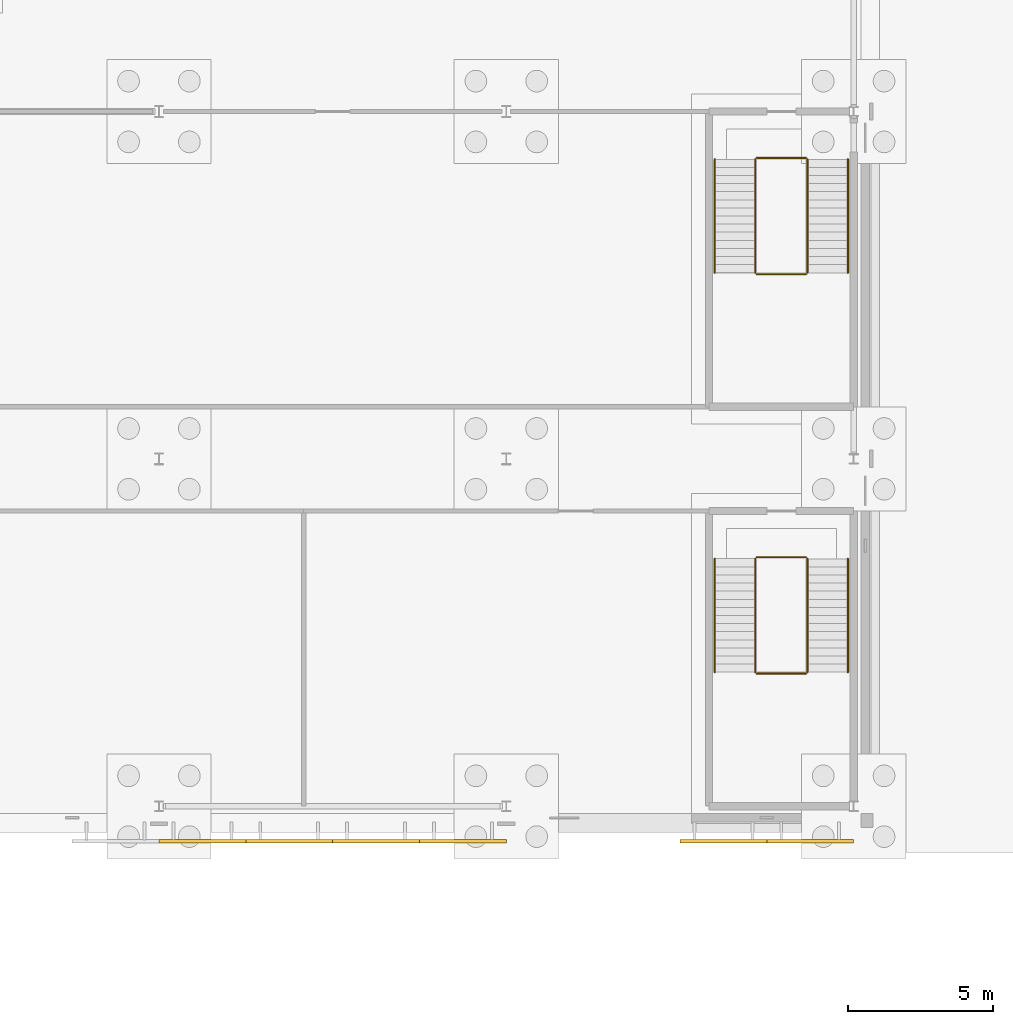
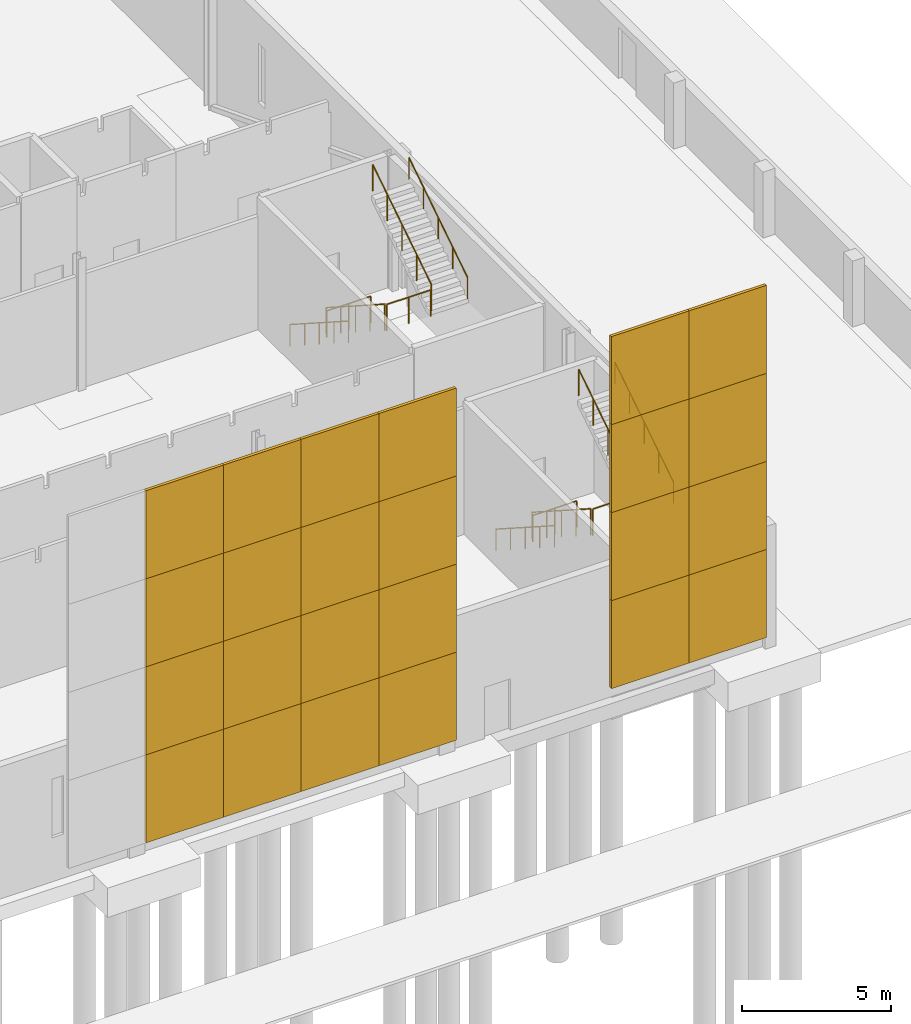
# One storey, part 128 of 132: 24 shading devices, 12 railings.
"""IFC4 building model written with IfcOpenShell, lengths in metres."""

from ifc_helpers import new_model, si_unit, direction, frame, origin, origin_2d, place, context, subcontext, project, spatial, rectangle, circle, extrude, material, layer, layer_set, type_object, element, save


model = new_model("IFC4")

# Units and contexts
model_context = context("Model", 3, precision=1e-05, world=origin(), true_north=direction((0.0, 1.0)))
body_context = subcontext(model_context, "Body", "Model", "MODEL_VIEW")
ifc_project = project(units=[si_unit("LENGTHUNIT", "METRE"), si_unit("AREAUNIT", "SQUARE_METRE"), si_unit("VOLUMEUNIT", "CUBIC_METRE"), si_unit("PLANEANGLEUNIT", "RADIAN"), si_unit("MASSUNIT", "GRAM", prefix="KILO")], contexts=[model_context])

# Site, building, storey
site_placement = place(None, origin())
site = spatial("IfcSite", under=ifc_project, at=site_placement, CompositionType="ELEMENT")
building_placement = place(site_placement, origin())
building = spatial("IfcBuilding", under=site, at=building_placement, Name="Ravi Spectrum Wholesale Market", CompositionType="ELEMENT")
storey_placement = place(building_placement, origin())
storey = spatial("IfcBuildingStorey", under=building, at=storey_placement, Name="L00", CompositionType="ELEMENT", Elevation=0.0)

# Railings
ifc_material_1 = material(Name="Steel S355", Category="steel")
railing_type_1 = type_object("IfcRailingType", Name="Guard 1100", PredefinedType="GUARDRAIL", material=ifc_material_1)
railing_1_placement = place(storey_placement, frame((278.60009765625, 40.35009765625, 0.179931640625)))
element("IfcRailing", 1, at=railing_1_placement, inside=storey, type_object=railing_type_1, Name="L00 S-CS-2 stair guard 1", PredefinedType="GUARDRAIL", context=body_context, shape_type="SweptSolid", body=[
    extrude(circle(Radius=0.02392578125, at=origin_2d()), frame((0.0, 0.0, 1.076171875), z_axis=(0.0, -0.841186985886, 0.540744352514), x_axis=(1.0, 0.0, 0.0)), (0.0, 0.0, 1.0), 4.660400390625),
    extrude(circle(Radius=0.02099609375, at=origin_2d()), origin(), (0.0, 0.0, 1.0), 1.052001953125),
    extrude(circle(Radius=0.02099609375, at=origin_2d()), frame((0.0, -0.97998046875, 0.6298828125)), (0.0, 0.0, 1.0), 1.052001953125),
    extrude(circle(Radius=0.02099609375, at=origin_2d()), frame((0.0, -1.9599609375, 1.260009765625)), (0.0, 0.0, 1.0), 1.052001953125),
    extrude(circle(Radius=0.02099609375, at=origin_2d()), frame((0.0, -2.940185546875, 1.89013671875)), (0.0, 0.0, 1.0), 1.052001953125),
    extrude(circle(Radius=0.02099609375, at=origin_2d()), frame((0.0, -3.920166015625, 2.52001953125)), (0.0, 0.0, 1.0), 1.052001953125),
])
railing_2_placement = place(storey_placement, frame((278.64990234375, 36.3798828125, 2.699951171875)))
element("IfcRailing", 2, at=railing_2_placement, inside=storey, type_object=railing_type_1, Name="L00 S-CS-2 stair guard 2", PredefinedType="GUARDRAIL", context=body_context, shape_type="SweptSolid", body=[
    extrude(circle(Radius=0.02392578125, at=origin_2d()), frame((0.0, 0.0, 1.076171875), z_axis=(1.0, 0.0, 0.0), x_axis=(0.0, 1.0, 0.0)), (0.0, 0.0, 1.0), 1.7001953125),
    extrude(circle(Radius=0.02099609375, at=origin_2d()), origin(), (0.0, 0.0, 1.0), 1.052001953125),
    extrude(circle(Radius=0.02099609375, at=origin_2d()), frame((0.85009765625, 0.0, 0.0)), (0.0, 0.0, 1.0), 1.052001953125),
    extrude(circle(Radius=0.02099609375, at=origin_2d()), frame((1.7001953125, 0.0, 0.0)), (0.0, 0.0, 1.0), 1.052001953125),
])
railing_3_placement = place(storey_placement, frame((280.39990234375, 36.429931640625, 2.8798828125)))
element("IfcRailing", 3, at=railing_3_placement, inside=storey, type_object=railing_type_1, Name="L00 S-CS-2 stair guard 3", PredefinedType="GUARDRAIL", context=body_context, shape_type="SweptSolid", body=[
    extrude(circle(Radius=0.02392578125, at=origin_2d()), frame((0.0, 0.0, 1.076171875), z_axis=(0.0, 0.841186985886, 0.540744352514), x_axis=(-1.0, 0.0, 0.0)), (0.0, 0.0, 1.0), 4.660400390625),
    extrude(circle(Radius=0.02099609375, at=origin_2d()), origin(), (0.0, 0.0, 1.0), 1.052001953125),
    extrude(circle(Radius=0.02099609375, at=origin_2d()), frame((0.0, 0.97998046875, 0.6298828125)), (0.0, 0.0, 1.0), 1.052001953125),
    extrude(circle(Radius=0.02099609375, at=origin_2d()), frame((0.0, 1.9599609375, 1.260009765625)), (0.0, 0.0, 1.0), 1.052001953125),
    extrude(circle(Radius=0.02099609375, at=origin_2d()), frame((0.0, 2.940185546875, 1.89013671875)), (0.0, 0.0, 1.0), 1.052001953125),
    extrude(circle(Radius=0.02099609375, at=origin_2d()), frame((0.0, 3.920166015625, 2.52001953125)), (0.0, 0.0, 1.0), 1.052001953125),
])
railing_4_placement = place(storey_placement, frame((278.64990234375, 40.39990234375, 0.0)))
element("IfcRailing", 4, at=railing_4_placement, inside=storey, type_object=railing_type_1, Name="L00 S-CS-2 stair guard 4", PredefinedType="GUARDRAIL", context=body_context, shape_type="SweptSolid", body=[
    extrude(circle(Radius=0.02392578125, at=origin_2d()), frame((0.0, 0.0, 1.076171875), z_axis=(1.0, 0.0, 0.0), x_axis=(0.0, 1.0, 0.0)), (0.0, 0.0, 1.0), 1.7001953125),
    extrude(circle(Radius=0.02099609375, at=origin_2d()), origin(), (0.0, 0.0, 1.0), 1.052001953125),
    extrude(circle(Radius=0.02099609375, at=origin_2d()), frame((0.85009765625, 0.0, 0.0)), (0.0, 0.0, 1.0), 1.052001953125),
    extrude(circle(Radius=0.02099609375, at=origin_2d()), frame((1.7001953125, 0.0, 0.0)), (0.0, 0.0, 1.0), 1.052001953125),
])
railing_5_placement = place(storey_placement, frame((278.60009765625, 26.550048828125, 0.179931640625)))
element("IfcRailing", 5, at=railing_5_placement, inside=storey, type_object=railing_type_1, Name="L00 S-CS-7 stair guard 1", PredefinedType="GUARDRAIL", context=body_context, shape_type="SweptSolid", body=[
    extrude(circle(Radius=0.02392578125, at=origin_2d()), frame((0.0, 0.0, 1.076171875), z_axis=(0.0, -0.841186985886, 0.540744352514), x_axis=(1.0, 0.0, 0.0)), (0.0, 0.0, 1.0), 4.660400390625),
    extrude(circle(Radius=0.02099609375, at=origin_2d()), origin(), (0.0, 0.0, 1.0), 1.052001953125),
    extrude(circle(Radius=0.02099609375, at=origin_2d()), frame((0.0, -0.97998046875, 0.6298828125)), (0.0, 0.0, 1.0), 1.052001953125),
    extrude(circle(Radius=0.02099609375, at=origin_2d()), frame((0.0, -1.9599609375, 1.260009765625)), (0.0, 0.0, 1.0), 1.052001953125),
    extrude(circle(Radius=0.02099609375, at=origin_2d()), frame((0.0, -2.940185546875, 1.89013671875)), (0.0, 0.0, 1.0), 1.052001953125),
    extrude(circle(Radius=0.02099609375, at=origin_2d()), frame((0.0, -3.920166015625, 2.52001953125)), (0.0, 0.0, 1.0), 1.052001953125),
])
railing_6_placement = place(storey_placement, frame((278.64990234375, 22.580078125, 2.699951171875)))
element("IfcRailing", 6, at=railing_6_placement, inside=storey, type_object=railing_type_1, Name="L00 S-CS-7 stair guard 2", PredefinedType="GUARDRAIL", context=body_context, shape_type="SweptSolid", body=[
    extrude(circle(Radius=0.02392578125, at=origin_2d()), frame((0.0, 0.0, 1.076171875), z_axis=(1.0, 0.0, 0.0), x_axis=(0.0, 1.0, 0.0)), (0.0, 0.0, 1.0), 1.7001953125),
    extrude(circle(Radius=0.02099609375, at=origin_2d()), origin(), (0.0, 0.0, 1.0), 1.052001953125),
    extrude(circle(Radius=0.02099609375, at=origin_2d()), frame((0.85009765625, 0.0, 0.0)), (0.0, 0.0, 1.0), 1.052001953125),
    extrude(circle(Radius=0.02099609375, at=origin_2d()), frame((1.7001953125, 0.0, 0.0)), (0.0, 0.0, 1.0), 1.052001953125),
])
railing_7_placement = place(storey_placement, frame((280.39990234375, 22.6298828125, 2.8798828125)))
element("IfcRailing", 7, at=railing_7_placement, inside=storey, type_object=railing_type_1, Name="L00 S-CS-7 stair guard 3", PredefinedType="GUARDRAIL", context=body_context, shape_type="SweptSolid", body=[
    extrude(circle(Radius=0.02392578125, at=origin_2d()), frame((0.0, 0.0, 1.076171875), z_axis=(0.0, 0.841186985886, 0.540744352514), x_axis=(-1.0, 0.0, 0.0)), (0.0, 0.0, 1.0), 4.660400390625),
    extrude(circle(Radius=0.02099609375, at=origin_2d()), origin(), (0.0, 0.0, 1.0), 1.052001953125),
    extrude(circle(Radius=0.02099609375, at=origin_2d()), frame((0.0, 0.97998046875, 0.6298828125)), (0.0, 0.0, 1.0), 1.052001953125),
    extrude(circle(Radius=0.02099609375, at=origin_2d()), frame((0.0, 1.9599609375, 1.260009765625)), (0.0, 0.0, 1.0), 1.052001953125),
    extrude(circle(Radius=0.02099609375, at=origin_2d()), frame((0.0, 2.940185546875, 1.89013671875)), (0.0, 0.0, 1.0), 1.052001953125),
    extrude(circle(Radius=0.02099609375, at=origin_2d()), frame((0.0, 3.920166015625, 2.52001953125)), (0.0, 0.0, 1.0), 1.052001953125),
])
railing_8_placement = place(storey_placement, frame((278.64990234375, 26.60009765625, 0.0)))
element("IfcRailing", 8, at=railing_8_placement, inside=storey, type_object=railing_type_1, Name="L00 S-CS-7 stair guard 4", PredefinedType="GUARDRAIL", context=body_context, shape_type="SweptSolid", body=[
    extrude(circle(Radius=0.02392578125, at=origin_2d()), frame((0.0, 0.0, 1.076171875), z_axis=(1.0, 0.0, 0.0), x_axis=(0.0, 1.0, 0.0)), (0.0, 0.0, 1.0), 1.7001953125),
    extrude(circle(Radius=0.02099609375, at=origin_2d()), origin(), (0.0, 0.0, 1.0), 1.052001953125),
    extrude(circle(Radius=0.02099609375, at=origin_2d()), frame((0.85009765625, 0.0, 0.0)), (0.0, 0.0, 1.0), 1.052001953125),
    extrude(circle(Radius=0.02099609375, at=origin_2d()), frame((1.7001953125, 0.0, 0.0)), (0.0, 0.0, 1.0), 1.052001953125),
])
ifc_material_2 = material(Name="Stainless steel", Category="steel")
railing_type_2 = type_object("IfcRailingType", Name="Handrail 900", PredefinedType="HANDRAIL", material=ifc_material_2)
railing_9_placement = place(storey_placement, frame((277.199951171875, 40.35009765625, 0.179931640625)))
element("IfcRailing", 9, at=railing_9_placement, inside=storey, type_object=railing_type_2, Name="L00 S-CS-2 stair handrail 1", PredefinedType="HANDRAIL", context=body_context, shape_type="SweptSolid", body=[
    extrude(circle(Radius=0.02392578125, at=origin_2d()), frame((0.0, 0.0, 0.8759765625), z_axis=(0.0, -0.841186985886, 0.540744352514), x_axis=(1.0, 0.0, 0.0)), (0.0, 0.0, 1.0), 4.660400390625),
    extrude(circle(Radius=0.02099609375, at=origin_2d()), origin(), (0.0, 0.0, 1.0), 0.851806640625),
    extrude(circle(Radius=0.02099609375, at=origin_2d()), frame((0.0, -0.97998046875, 0.6298828125)), (0.0, 0.0, 1.0), 0.851806640625),
    extrude(circle(Radius=0.02099609375, at=origin_2d()), frame((0.0, -1.9599609375, 1.260009765625)), (0.0, 0.0, 1.0), 0.851806640625),
    extrude(circle(Radius=0.02099609375, at=origin_2d()), frame((0.0, -2.940185546875, 1.89013671875)), (0.0, 0.0, 1.0), 0.851806640625),
    extrude(circle(Radius=0.02099609375, at=origin_2d()), frame((0.0, -3.920166015625, 2.52001953125)), (0.0, 0.0, 1.0), 0.851806640625),
])
railing_10_placement = place(storey_placement, frame((281.800048828125, 36.429931640625, 2.8798828125)))
element("IfcRailing", 10, at=railing_10_placement, inside=storey, type_object=railing_type_2, Name="L00 S-CS-2 stair handrail 2", PredefinedType="HANDRAIL", context=body_context, shape_type="SweptSolid", body=[
    extrude(circle(Radius=0.02392578125, at=origin_2d()), frame((0.0, 0.0, 0.8759765625), z_axis=(0.0, 0.841186985886, 0.540744352514), x_axis=(-1.0, 0.0, 0.0)), (0.0, 0.0, 1.0), 4.660400390625),
    extrude(circle(Radius=0.02099609375, at=origin_2d()), origin(), (0.0, 0.0, 1.0), 0.851806640625),
    extrude(circle(Radius=0.02099609375, at=origin_2d()), frame((0.0, 0.97998046875, 0.6298828125)), (0.0, 0.0, 1.0), 0.851806640625),
    extrude(circle(Radius=0.02099609375, at=origin_2d()), frame((0.0, 1.9599609375, 1.260009765625)), (0.0, 0.0, 1.0), 0.851806640625),
    extrude(circle(Radius=0.02099609375, at=origin_2d()), frame((0.0, 2.940185546875, 1.89013671875)), (0.0, 0.0, 1.0), 0.851806640625),
    extrude(circle(Radius=0.02099609375, at=origin_2d()), frame((0.0, 3.920166015625, 2.52001953125)), (0.0, 0.0, 1.0), 0.851806640625),
])
railing_11_placement = place(storey_placement, frame((277.199951171875, 26.550048828125, 0.179931640625)))
element("IfcRailing", 11, at=railing_11_placement, inside=storey, type_object=railing_type_2, Name="L00 S-CS-7 stair handrail 1", PredefinedType="HANDRAIL", context=body_context, shape_type="SweptSolid", body=[
    extrude(circle(Radius=0.02392578125, at=origin_2d()), frame((0.0, 0.0, 0.8759765625), z_axis=(0.0, -0.841186985886, 0.540744352514), x_axis=(1.0, 0.0, 0.0)), (0.0, 0.0, 1.0), 4.660400390625),
    extrude(circle(Radius=0.02099609375, at=origin_2d()), origin(), (0.0, 0.0, 1.0), 0.851806640625),
    extrude(circle(Radius=0.02099609375, at=origin_2d()), frame((0.0, -0.97998046875, 0.6298828125)), (0.0, 0.0, 1.0), 0.851806640625),
    extrude(circle(Radius=0.02099609375, at=origin_2d()), frame((0.0, -1.9599609375, 1.260009765625)), (0.0, 0.0, 1.0), 0.851806640625),
    extrude(circle(Radius=0.02099609375, at=origin_2d()), frame((0.0, -2.940185546875, 1.89013671875)), (0.0, 0.0, 1.0), 0.851806640625),
    extrude(circle(Radius=0.02099609375, at=origin_2d()), frame((0.0, -3.920166015625, 2.52001953125)), (0.0, 0.0, 1.0), 0.851806640625),
])
railing_12_placement = place(storey_placement, frame((281.800048828125, 22.6298828125, 2.8798828125)))
element("IfcRailing", 12, at=railing_12_placement, inside=storey, type_object=railing_type_2, Name="L00 S-CS-7 stair handrail 2", PredefinedType="HANDRAIL", context=body_context, shape_type="SweptSolid", body=[
    extrude(circle(Radius=0.02392578125, at=origin_2d()), frame((0.0, 0.0, 0.8759765625), z_axis=(0.0, 0.841186985886, 0.540744352514), x_axis=(-1.0, 0.0, 0.0)), (0.0, 0.0, 1.0), 4.660400390625),
    extrude(circle(Radius=0.02099609375, at=origin_2d()), origin(), (0.0, 0.0, 1.0), 0.851806640625),
    extrude(circle(Radius=0.02099609375, at=origin_2d()), frame((0.0, 0.97998046875, 0.6298828125)), (0.0, 0.0, 1.0), 0.851806640625),
    extrude(circle(Radius=0.02099609375, at=origin_2d()), frame((0.0, 1.9599609375, 1.260009765625)), (0.0, 0.0, 1.0), 0.851806640625),
    extrude(circle(Radius=0.02099609375, at=origin_2d()), frame((0.0, 2.940185546875, 1.89013671875)), (0.0, 0.0, 1.0), 0.851806640625),
    extrude(circle(Radius=0.02099609375, at=origin_2d()), frame((0.0, 3.920166015625, 2.52001953125)), (0.0, 0.0, 1.0), 0.851806640625),
])

# Shading devices
ifc_material_3 = material(Name="Perforated clinker brickwork", Category="masonry")
ifc_layer = layer(ifc_material_3, 0.114990234375)
ifc_layer_set = layer_set([ifc_layer], Name="Perforated clinker brickwork")
shading_device_type = type_object("IfcShadingDeviceType", Name="Jali brick screen panel 3000 x 3600 x 115", PredefinedType="USERDEFINED", material=ifc_layer_set)
for number, where, z_axis, x_axis, name in (
    (13, (259.5, 16.79248046875, 0.89990234375), (0.0, 0.0, 1.0), (1.0, 0.0, 0.0), "Jali screen"),
    (14, (259.5, 16.79248046875, 4.5), (0.0, 0.0, 1.0), (1.0, 0.0, 0.0), "Jali screen"),
    (15, (259.5, 16.79248046875, 8.099853515625), (0.0, 0.0, 1.0), (1.0, 0.0, 0.0), "Jali screen"),
    (16, (259.5, 16.79248046875, 11.699951171875), (0.0, 0.0, 1.0), (1.0, 0.0, 0.0), "Jali screen"),
    (17, (262.5, 16.79248046875, 0.89990234375), (0.0, 0.0, 1.0), (1.0, 0.0, 0.0), "Jali screen"),
    (18, (262.5, 16.79248046875, 4.5), (0.0, 0.0, 1.0), (1.0, 0.0, 0.0), "Jali screen"),
    (19, (262.5, 16.79248046875, 8.099853515625), (0.0, 0.0, 1.0), (1.0, 0.0, 0.0), "Jali screen"),
    (20, (262.5, 16.79248046875, 11.699951171875), (0.0, 0.0, 1.0), (1.0, 0.0, 0.0), "Jali screen"),
    (21, (265.5, 16.79248046875, 0.89990234375), (0.0, 0.0, 1.0), (1.0, 0.0, 0.0), "Jali screen"),
    (22, (265.5, 16.79248046875, 4.5), (0.0, 0.0, 1.0), (1.0, 0.0, 0.0), "Jali screen"),
    (23, (265.5, 16.79248046875, 8.099853515625), (0.0, 0.0, 1.0), (1.0, 0.0, 0.0), "Jali screen"),
    (24, (265.5, 16.79248046875, 11.699951171875), (0.0, 0.0, 1.0), (1.0, 0.0, 0.0), "Jali screen"),
    (25, (268.5, 16.79248046875, 0.89990234375), (0.0, 0.0, 1.0), (1.0, 0.0, 0.0), "Jali screen"),
    (26, (268.5, 16.79248046875, 4.5), (0.0, 0.0, 1.0), (1.0, 0.0, 0.0), "Jali screen"),
    (27, (268.5, 16.79248046875, 8.099853515625), (0.0, 0.0, 1.0), (1.0, 0.0, 0.0), "Jali screen"),
    (28, (268.5, 16.79248046875, 11.699951171875), (0.0, 0.0, 1.0), (1.0, 0.0, 0.0), "Jali screen"),
    (29, (277.5, 16.79248046875, 0.89990234375), (0.0, 0.0, 1.0), (1.0, 0.0, 0.0), "Jali screen"),
    (30, (277.5, 16.79248046875, 4.5), (0.0, 0.0, 1.0), (1.0, 0.0, 0.0), "Jali screen"),
    (31, (277.5, 16.79248046875, 8.099853515625), (0.0, 0.0, 1.0), (1.0, 0.0, 0.0), "Jali screen"),
    (32, (277.5, 16.79248046875, 11.699951171875), (0.0, 0.0, 1.0), (1.0, 0.0, 0.0), "Jali screen"),
    (33, (280.5, 16.79248046875, 0.89990234375), (0.0, 0.0, 1.0), (1.0, 0.0, 0.0), "Jali screen"),
    (34, (280.5, 16.79248046875, 4.5), (0.0, 0.0, 1.0), (1.0, 0.0, 0.0), "Jali screen"),
    (35, (280.5, 16.79248046875, 8.099853515625), (0.0, 0.0, 1.0), (1.0, 0.0, 0.0), "Jali screen"),
    (36, (280.5, 16.79248046875, 11.699951171875), (0.0, 0.0, 1.0), (1.0, 0.0, 0.0), "Jali screen"),
):
    element("IfcShadingDevice", number, at=place(storey_placement, frame(where, z_axis=z_axis, x_axis=x_axis)), inside=storey, type_object=shading_device_type, Name=name, ObjectType="SCREEN", PredefinedType="USERDEFINED", context=body_context, shape_type="SweptSolid", body=[
        extrude(rectangle(XDim=3.0, YDim=0.114990234375, at=origin_2d()), origin(), (0.0, 0.0, 1.0), 3.60009765625),
    ])

save(model, "model.ifc")
